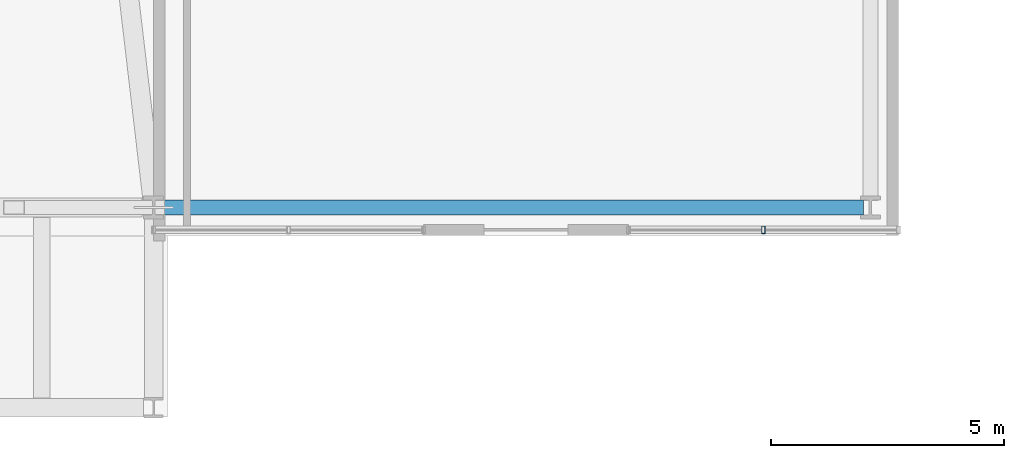
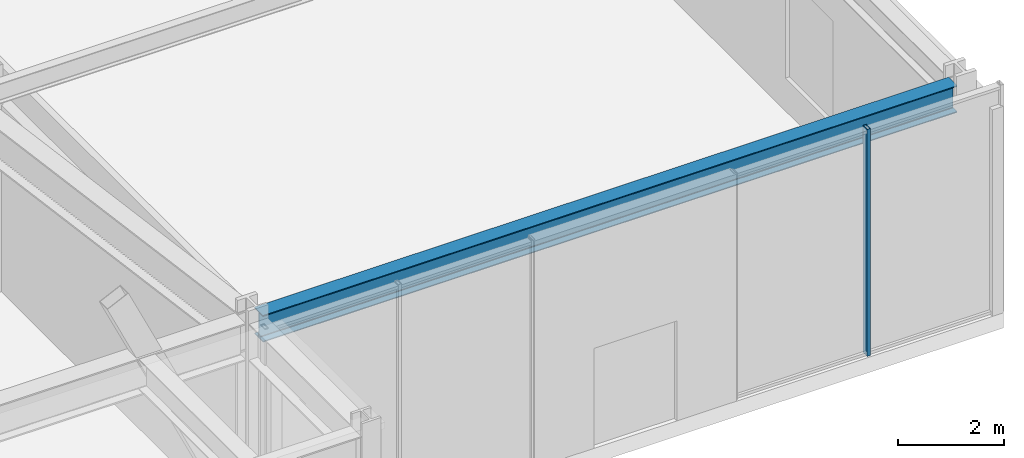
# One storey, part 13 of 24: 1 beam, 1 member, 1 element without a shape of its own.
"""IFC4 building model written with IfcOpenShell, lengths in metres."""

from ifc_helpers import new_model, si_unit, direction, frame, origin, origin_2d, place, context, subcontext, project, spatial, hollow_rectangle, i_section, extrude, material, material_profile, profile_set, type_object, element, aggregate, save


model = new_model("IFC4")

# Units and contexts
model_context = context("Model", 3, precision=1e-05, world=origin(), true_north=direction((0.0, 1.0)))
body_context = subcontext(model_context, "Body", "Model", "MODEL_VIEW")
ifc_project = project(units=[si_unit("LENGTHUNIT", "METRE"), si_unit("AREAUNIT", "SQUARE_METRE"), si_unit("VOLUMEUNIT", "CUBIC_METRE"), si_unit("PLANEANGLEUNIT", "RADIAN"), si_unit("MASSUNIT", "GRAM", prefix="KILO")], contexts=[model_context])

# Site, building, storey
site_placement = place(None, origin())
site = spatial("IfcSite", under=ifc_project, at=site_placement, CompositionType="ELEMENT")
building_placement = place(site_placement, origin())
building = spatial("IfcBuilding", under=site, at=building_placement, Name="Kolvaren Belvedere", CompositionType="ELEMENT")
storey_placement = place(building_placement, origin())
storey = spatial("IfcBuildingStorey", under=building, at=storey_placement, Name="L01", CompositionType="ELEMENT", Elevation=0.0)

# Beam
ifc_material_1 = material(Name="Structural steel ASTM A992 Grade 50", Category="steel")
ifc_material_profile_1 = material_profile(ifc_material_1, i_section(OverallWidth=0.324951171875, OverallDepth=0.615966796875, WebThickness=0.013916015625, FlangeThickness=0.021484375, FilletRadius=0.02001953125, at=origin_2d()), Name="W24X117")
ifc_profile_set_1 = profile_set([ifc_material_profile_1], Name="Structural steel ASTM A992 Grade 50")
beam_type = type_object("IfcBeamType", Name="BM-SPAN-W24X117", PredefinedType="SPANDREL", material=ifc_profile_set_1)
beam_placement = place(storey_placement, frame((12.14990234375, -27.800048828125, 4.912109375), z_axis=(1.0, 0.0, 0.0), x_axis=(0.0, 1.0, 0.0)))
element("IfcBeam", 1, at=beam_placement, inside=storey, type_object=beam_type, Name="L01 South Podium Spandrel 3", PredefinedType="SPANDREL", context=body_context, shape_type="SweptSolid", body=[
    extrude(i_section(OverallWidth=0.324951171875, OverallDepth=0.615966796875, WebThickness=0.013916015625, FlangeThickness=0.021484375, FilletRadius=0.02001953125, at=origin_2d()), origin(), (0.0, 0.0, 1.0), 15.10009765625),
])

# Curtain wall, member
ifc_material_2 = material(Name="Anodised pale-metal aluminium AA 6063-T6", Category="aluminium")
curtain_wall_type = type_object("IfcCurtainWallType", Name="CW-POD-A", PredefinedType="NOTDEFINED", material=ifc_material_2)
curtain_wall_placement = place(storey_placement, origin())
curtain_wall = element("IfcCurtainWall", 2, at=curtain_wall_placement, inside=storey, type_object=curtain_wall_type, Name="L01 Unitised Curtain Wall FCW-L01-SE1", PredefinedType="NOTDEFINED")
ifc_material_3 = material(Name="Anodised pale-metal aluminium AA 6063-T6", Category="aluminium")
ifc_material_profile_2 = material_profile(ifc_material_3, hollow_rectangle(XDim=0.074951171875, YDim=0.159912109375, WallThickness=0.00439453125, at=origin_2d()), Name="ALU-MUL-160X75")
ifc_profile_set_2 = profile_set([ifc_material_profile_2], Name="Anodised pale-metal aluminium AA 6063-T6")
member_type = type_object("IfcMemberType", Name="CW-MUL-160", PredefinedType="MULLION", material=ifc_profile_set_2)
member_placement = place(storey_placement, frame((25.10009765625, -28.280029296875, 0.0), z_axis=(0.0, 0.0, 1.0), x_axis=(1.0, 0.0, 0.0)))
member = element("IfcMember", 3, at=member_placement, type_object=member_type, Name="FCW-L01-SE1 Unitised Mullion 2", PredefinedType="MULLION", context=body_context, shape_type="SweptSolid", body=[
    extrude(hollow_rectangle(XDim=0.074951171875, YDim=0.159912109375, WallThickness=0.00439453125, at=origin_2d()), origin(), (0.0, 0.0, 1.0), 5.219970703125),
])
aggregate(curtain_wall, [member])

save(model, "model.ifc")
